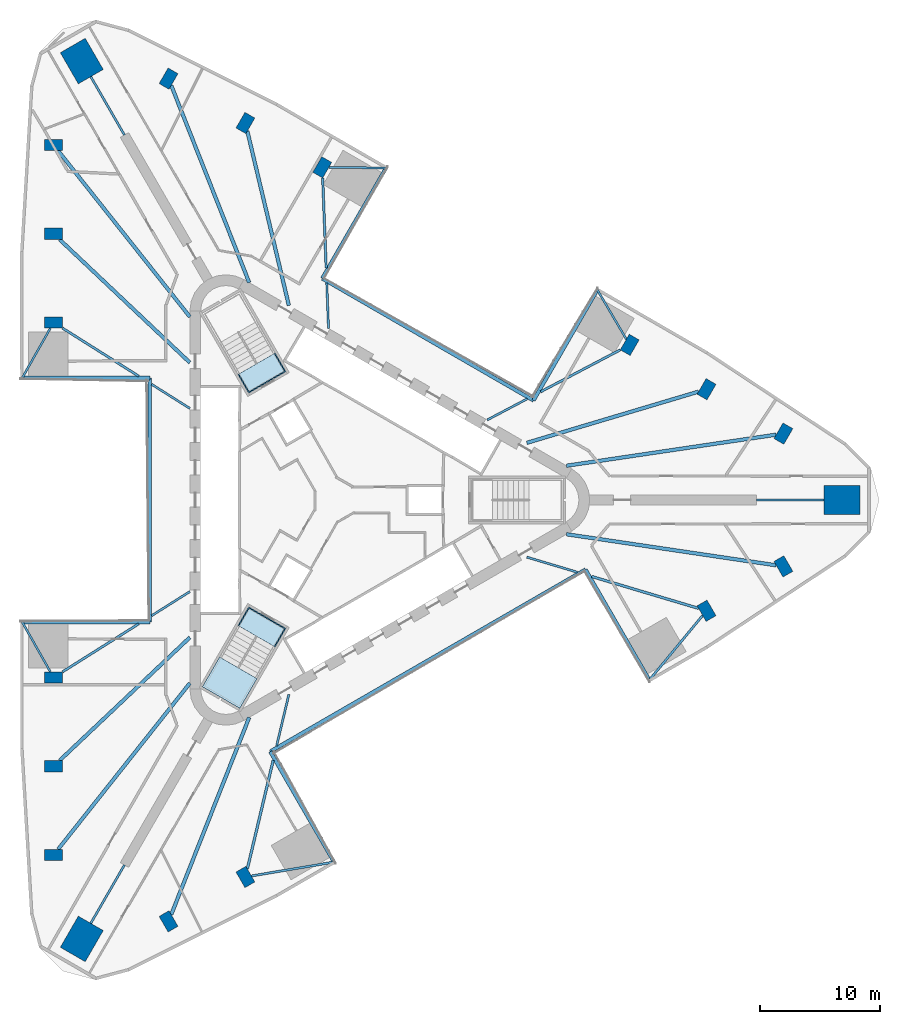
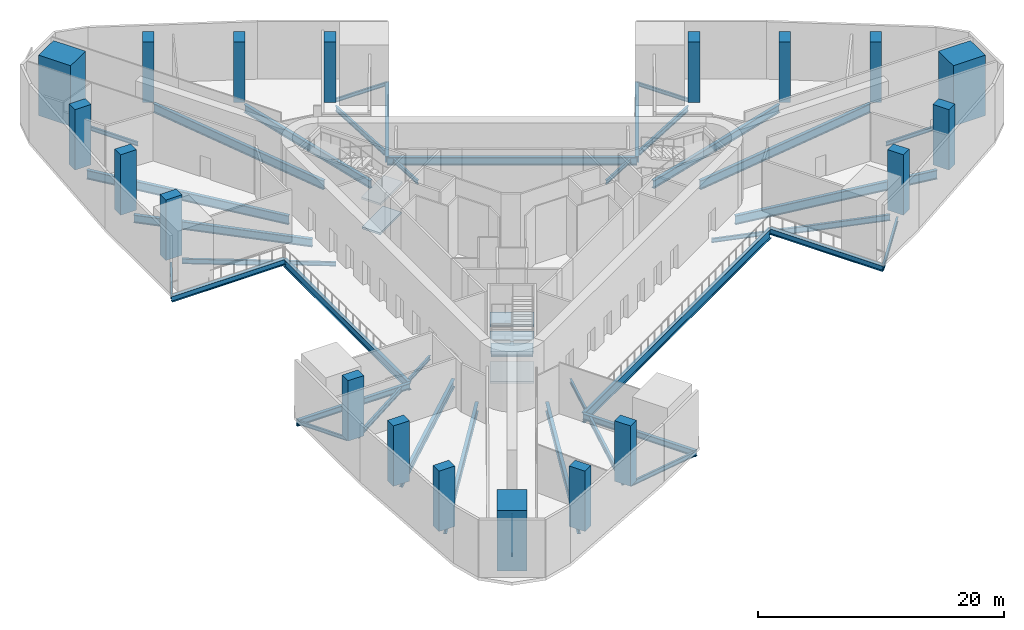
# One storey, part 1 of 11: 40 beams, 19 columns, 6 slabs, 2 elements without a shape of their own.
"""IFC4 building model written with IfcOpenShell, lengths in metres."""

from ifc_helpers import new_model, si_unit, direction, frame, origin, origin_2d, place, context, subcontext, project, spatial, polyline, rectangle, i_section, outline, extrude, material, layer, layer_set, material_profile, profile_set, type_object, element, aggregate, save


model = new_model("IFC4")

# Units and contexts
model_context = context("Model", 3, precision=1e-05, world=origin(), true_north=direction((0.0, 1.0)))
body_context = subcontext(model_context, "Body", "Model", "MODEL_VIEW")
ifc_project = project(units=[si_unit("LENGTHUNIT", "METRE"), si_unit("AREAUNIT", "SQUARE_METRE"), si_unit("VOLUMEUNIT", "CUBIC_METRE"), si_unit("PLANEANGLEUNIT", "RADIAN"), si_unit("MASSUNIT", "GRAM", prefix="KILO")], contexts=[model_context])

# Site, building, storey
site_placement = place(None, origin())
site = spatial("IfcSite", under=ifc_project, at=site_placement, CompositionType="ELEMENT")
building_placement = place(site_placement, origin())
building = spatial("IfcBuilding", under=site, at=building_placement, Name="Tanit Gate Tower", CompositionType="ELEMENT")
storey_placement = place(building_placement, frame((0.0, 0.0, 27.5)))
storey = spatial("IfcBuildingStorey", under=building, at=storey_placement, Name="L04", CompositionType="ELEMENT", Elevation=27.5)

# Columns
ifc_material_1 = material(Name="Concrete C80/95", Category="concrete")
ifc_material_profile_1 = material_profile(ifc_material_1, rectangle(XDim=3.0, YDim=2.39990234375, at=origin_2d()), Name="RC 3000x2400")
ifc_profile_set_1 = profile_set([ifc_material_profile_1], Name="Concrete C80/95")
column_type_1 = type_object("IfcColumnType", Name="MEGA COLUMN 3000x2400 C80/95", PredefinedType="COLUMN", material=ifc_profile_set_1)
for number, where, z_axis, x_axis, name in (
    (1, (42.211181640625, 0.0, 0.0), (0.0, 0.0, 1.0), (1.0, 0.0, 0.0), "MEGA COLUMN"),
    (2, (-21.105712890625, 36.555908203125, 0.0), (0.0, 0.0, 1.0), (-0.5, 0.866025403784, 0.0), "MEGA COLUMN"),
    (3, (-21.105712890625, -36.555908203125, 0.0), (0.0, 0.0, 1.0), (-0.5, -0.866025403784, 0.0), "MEGA COLUMN"),
):
    element("IfcColumn", number, at=place(storey_placement, frame(where, z_axis=z_axis, x_axis=x_axis)), inside=storey, type_object=column_type_1, Name=name, PredefinedType="COLUMN", context=body_context, shape_type="SweptSolid", body=[
        extrude(rectangle(XDim=3.0, YDim=2.39990234375, at=origin_2d()), origin(), (0.0, 0.0, 1.0), 6.0),
    ])
ifc_material_2 = material(Name="Concrete C70/85", Category="concrete")
ifc_material_profile_2 = material_profile(ifc_material_2, rectangle(XDim=1.5, YDim=0.949951171875, at=origin_2d()), Name="RC 1500x950")
ifc_profile_set_2 = profile_set([ifc_material_profile_2], Name="Concrete C70/85")
column_type_2 = type_object("IfcColumnType", Name="PERIMETER COLUMN 1500x950 C70/85", PredefinedType="COLUMN", material=ifc_profile_set_2)
for number, where, z_axis, x_axis, name in (
    (4, (-23.453369140625, 29.56591796875, 0.0), (0.0, 0.0, 1.0), (-1.0, 0.0, 0.0), "PERIMETER COLUMN"),
    (5, (-23.453369140625, 22.17431640625, 0.0), (0.0, 0.0, 1.0), (-1.0, 0.0, 0.0), "PERIMETER COLUMN"),
    (6, (-23.453369140625, 14.782958984375, 0.0), (0.0, 0.0, 1.0), (-1.0, 0.0, 0.0), "PERIMETER COLUMN"),
    (7, (-23.453369140625, -14.782958984375, 0.0), (0.0, 0.0, 1.0), (-1.0, 0.0, 0.0), "PERIMETER COLUMN"),
    (8, (-23.453369140625, -22.17431640625, 0.0), (0.0, 0.0, 1.0), (-1.0, 0.0, 0.0), "PERIMETER COLUMN"),
    (9, (-23.453369140625, -29.56591796875, 0.0), (0.0, 0.0, 1.0), (-1.0, 0.0, 0.0), "PERIMETER COLUMN"),
    (10, (37.331298828125, 5.5283203125, 0.0), (0.0, 0.0, 1.0), (0.5, 0.866025403784, 0.0), "PERIMETER COLUMN"),
    (11, (30.930419921875, 9.22412109375, 0.0), (0.0, 0.0, 1.0), (0.5, 0.866025403784, 0.0), "PERIMETER COLUMN"),
    (12, (24.529052734375, 12.919921875, 0.0), (0.0, 0.0, 1.0), (0.5, 0.866025403784, 0.0), "PERIMETER COLUMN"),
    (13, (-1.07568359375, 27.70263671875, 0.0), (0.0, 0.0, 1.0), (0.5, 0.866025403784, 0.0), "PERIMETER COLUMN"),
    (14, (-7.476806640625, 31.3984375, 0.0), (0.0, 0.0, 1.0), (0.5, 0.866025403784, 0.0), "PERIMETER COLUMN"),
    (15, (-13.8779296875, 35.093994140625, 0.0), (0.0, 0.0, 1.0), (0.5, 0.866025403784, 0.0), "PERIMETER COLUMN"),
    (16, (-13.8779296875, -35.093994140625, 0.0), (0.0, 0.0, 1.0), (0.5, -0.866025403784, 0.0), "PERIMETER COLUMN"),
    (17, (-7.476806640625, -31.3984375, 0.0), (0.0, 0.0, 1.0), (0.5, -0.866025403784, 0.0), "PERIMETER COLUMN"),
    (18, (30.930419921875, -9.22412109375, 0.0), (0.0, 0.0, 1.0), (0.5, -0.866025403784, 0.0), "PERIMETER COLUMN"),
    (19, (37.331298828125, -5.5283203125, 0.0), (0.0, 0.0, 1.0), (0.5, -0.866025403784, 0.0), "PERIMETER COLUMN"),
):
    element("IfcColumn", number, at=place(storey_placement, frame(where, z_axis=z_axis, x_axis=x_axis)), inside=storey, type_object=column_type_2, Name=name, PredefinedType="COLUMN", context=body_context, shape_type="SweptSolid", body=[
        extrude(rectangle(XDim=1.5, YDim=0.949951171875, at=origin_2d()), origin(), (0.0, 0.0, 1.0), 6.0),
    ])

# Beams
ifc_material_3 = material(Name="Steel S355", Category="steel")
ifc_material_profile_3 = material_profile(ifc_material_3, i_section(OverallWidth=0.300048828125, OverallDepth=0.590087890625, WebThickness=0.012939453125, FlangeThickness=0.02490234375, FilletRadius=0.027099609375, at=origin_2d()), Name="HEA 600")
ifc_profile_set_3 = profile_set([ifc_material_profile_3], Name="Steel S355")
beam_type_1 = type_object("IfcBeamType", Name="EDGE BEAM HEA 600 S355", PredefinedType="BEAM", material=ifc_profile_set_3)
beam_1_placement = place(storey_placement, frame((26.16259765625, -14.9951171875, -0.594970703125), z_axis=(-0.500000853759, 0.866024910866, 0.0), x_axis=(-0.866024910866, -0.500000853759, 0.0)))
element("IfcBeam", 20, at=beam_1_placement, inside=storey, type_object=beam_type_1, Name="EDGE BEAM", PredefinedType="BEAM", context=body_context, shape_type="SweptSolid", body=[
    extrude(i_section(OverallWidth=0.300048828125, OverallDepth=0.590087890625, WebThickness=0.012939453125, FlangeThickness=0.02490234375, FilletRadius=0.027099609375, at=origin_2d()), origin(), (0.0, 0.0, 1.0), 10.62744140625),
])
beam_2_placement = place(storey_placement, frame((-5.408935546875, -20.951416015625, -0.594970703125), z_axis=(0.500000139537, -0.866025323223, 0.0), x_axis=(0.866025323223, 0.500000139537, 0.0)))
element("IfcBeam", 21, at=beam_2_placement, inside=storey, type_object=beam_type_1, Name="EDGE BEAM", PredefinedType="BEAM", context=body_context, shape_type="SweptSolid", body=[
    extrude(i_section(OverallWidth=0.300048828125, OverallDepth=0.590087890625, WebThickness=0.012939453125, FlangeThickness=0.02490234375, FilletRadius=0.027099609375, at=origin_2d()), origin(), (0.0, 0.0, 1.0), 10.62939453125),
])
beam_3_placement = place(storey_placement, frame((-26.067626953125, -10.159912109375, -0.594970703125), z_axis=(1.0, 0.0, 0.0), x_axis=(0.0, 1.0, 0.0)))
element("IfcBeam", 22, at=beam_3_placement, inside=storey, type_object=beam_type_1, Name="EDGE BEAM", PredefinedType="BEAM", context=body_context, shape_type="SweptSolid", body=[
    extrude(i_section(OverallWidth=0.300048828125, OverallDepth=0.590087890625, WebThickness=0.012939453125, FlangeThickness=0.02490234375, FilletRadius=0.027099609375, at=origin_2d()), origin(), (0.0, 0.0, 1.0), 10.627685546875),
])
beam_4_placement = place(storey_placement, frame((-15.43994140625, 10.159912109375, -0.594970703125), z_axis=(-1.0, 0.0, 0.0), x_axis=(0.0, -1.0, 0.0)))
element("IfcBeam", 23, at=beam_4_placement, inside=storey, type_object=beam_type_1, Name="EDGE BEAM", PredefinedType="BEAM", context=body_context, shape_type="SweptSolid", body=[
    extrude(i_section(OverallWidth=0.300048828125, OverallDepth=0.590087890625, WebThickness=0.012939453125, FlangeThickness=0.02490234375, FilletRadius=0.027099609375, at=origin_2d()), origin(), (0.0, 0.0, 1.0), 10.629150390625),
])
beam_5_placement = place(storey_placement, frame((4.235107421875, 27.6552734375, -0.594970703125), z_axis=(-0.500008135536, -0.866020706679, 0.0), x_axis=(0.866020706679, -0.500008135536, 0.0)))
element("IfcBeam", 24, at=beam_5_placement, inside=storey, type_object=beam_type_1, Name="EDGE BEAM", PredefinedType="BEAM", context=body_context, shape_type="SweptSolid", body=[
    extrude(i_section(OverallWidth=0.300048828125, OverallDepth=0.590087890625, WebThickness=0.012939453125, FlangeThickness=0.02490234375, FilletRadius=0.027099609375, at=origin_2d()), origin(), (0.0, 0.0, 1.0), 10.627685546875),
])
beam_6_placement = place(storey_placement, frame((16.518798828125, 8.29150390625, -0.594970703125), z_axis=(0.500010085333, 0.866019580936, 0.0), x_axis=(-0.866019580936, 0.500010085333, 0.0)))
element("IfcBeam", 25, at=beam_6_placement, inside=storey, type_object=beam_type_1, Name="EDGE BEAM", PredefinedType="BEAM", context=body_context, shape_type="SweptSolid", body=[
    extrude(i_section(OverallWidth=0.300048828125, OverallDepth=0.590087890625, WebThickness=0.012939453125, FlangeThickness=0.02490234375, FilletRadius=0.027099609375, at=origin_2d()), origin(), (0.0, 0.0, 1.0), 10.629150390625),
])
ifc_material_4 = material(Name="Steel S355", Category="steel")
ifc_material_profile_4 = material_profile(ifc_material_4, i_section(OverallWidth=0.300048828125, OverallDepth=0.7900390625, WebThickness=0.014892578125, FlangeThickness=0.028076171875, FilletRadius=0.030029296875, at=origin_2d()), Name="HEA 800")
ifc_profile_set_4 = profile_set([ifc_material_profile_4], Name="Steel S355")
beam_type_2 = type_object("IfcBeamType", Name="EDGE BEAM HEA 800 S355", PredefinedType="BEAM", material=ifc_profile_set_4)
beam_7_placement = place(storey_placement, frame((-15.43994140625, -10.159912109375, -0.695068359375), z_axis=(0.0, 1.0, 0.0), x_axis=(-1.0, 0.0, 0.0)))
element("IfcBeam", 26, at=beam_7_placement, inside=storey, type_object=beam_type_2, Name="EDGE BEAM", PredefinedType="BEAM", context=body_context, shape_type="SweptSolid", body=[
    extrude(i_section(OverallWidth=0.300048828125, OverallDepth=0.7900390625, WebThickness=0.014892578125, FlangeThickness=0.028076171875, FilletRadius=0.030029296875, at=origin_2d()), origin(), (0.0, 0.0, 1.0), 20.31982421875),
])
beam_8_placement = place(storey_placement, frame((-1.078857421875, 18.451416015625, -0.695068359375), z_axis=(0.866027523318, -0.499996328842, 0.0), x_axis=(0.499996328842, 0.866027523318, 0.0)))
element("IfcBeam", 27, at=beam_8_placement, inside=storey, type_object=beam_type_2, Name="EDGE BEAM", PredefinedType="BEAM", context=body_context, shape_type="SweptSolid", body=[
    extrude(i_section(OverallWidth=0.300048828125, OverallDepth=0.7900390625, WebThickness=0.014892578125, FlangeThickness=0.028076171875, FilletRadius=0.030029296875, at=origin_2d()), origin(), (0.0, 0.0, 1.0), 20.320068359375),
])
ifc_material_5 = material(Name="Steel S355", Category="steel")
ifc_material_profile_5 = material_profile(ifc_material_5, i_section(OverallWidth=0.300048828125, OverallDepth=1.0, WebThickness=0.01904296875, FlangeThickness=0.035888671875, FilletRadius=0.030029296875, at=origin_2d()), Name="HEB 1000")
ifc_profile_set_5 = profile_set([ifc_material_profile_5], Name="Steel S355")
beam_type_3 = type_object("IfcBeamType", Name="EDGE BEAM HEB 1000 S355", PredefinedType="BEAM", material=ifc_profile_set_5)
beam_9_placement = place(storey_placement, frame((20.848876953125, -5.79150390625, -0.800048828125), z_axis=(-0.86602601797, -0.499998936197, 0.0), x_axis=(0.499998936197, -0.86602601797, 0.0)))
element("IfcBeam", 28, at=beam_9_placement, inside=storey, type_object=beam_type_3, Name="EDGE BEAM", PredefinedType="BEAM", context=body_context, shape_type="SweptSolid", body=[
    extrude(i_section(OverallWidth=0.300048828125, OverallDepth=1.0, WebThickness=0.01904296875, FlangeThickness=0.035888671875, FilletRadius=0.030029296875, at=origin_2d()), origin(), (0.0, 0.0, 1.0), 30.31982421875),
])
ifc_material_6 = material(Name="Steel S355", Category="steel")
ifc_material_profile_6 = material_profile(ifc_material_6, i_section(OverallWidth=0.300048828125, OverallDepth=0.7900390625, WebThickness=0.014892578125, FlangeThickness=0.028076171875, FilletRadius=0.030029296875, at=origin_2d()), Name="HEA 800")
ifc_profile_set_6 = profile_set([ifc_material_profile_6], Name="Steel S355")
beam_type_4 = type_object("IfcBeamType", Name="RADIAL GIRDER HEA 800 S355", PredefinedType="BEAM", material=ifc_profile_set_6)
for number, where, z_axis, x_axis, name in (
    (29, (-22.950927734375, -21.69921875, -0.695068359375), (0.726639827007, 0.687018603683, 0.0), (-0.687018603683, 0.726639827007, 0.0), "RADIAL GIRDER"),
    (30, (30.267578125, 9.026611328125, -0.695068359375), (-0.958292632116, -0.285788787801, 0.0), (0.285788787801, -0.958292632116, 0.0), "RADIAL GIRDER"),
):
    element("IfcBeam", number, at=place(storey_placement, frame(where, z_axis=z_axis, x_axis=x_axis)), inside=storey, type_object=beam_type_4, Name=name, PredefinedType="BEAM", context=body_context, shape_type="SweptSolid", body=[
        extrude(i_section(OverallWidth=0.300048828125, OverallDepth=0.7900390625, WebThickness=0.014892578125, FlangeThickness=0.028076171875, FilletRadius=0.030029296875, at=origin_2d()), origin(), (0.0, 0.0, 1.0), 14.93017578125),
    ])
beam_10_placement = place(storey_placement, frame((-7.316650390625, 30.725830078125, -0.695068359375), z_axis=(0.231658845557, -0.972797090495, 0.0), x_axis=(0.972797090495, 0.231658845557, 0.0)))
element("IfcBeam", 31, at=beam_10_placement, inside=storey, type_object=beam_type_4, Name="RADIAL GIRDER", PredefinedType="BEAM", context=body_context, shape_type="SweptSolid", body=[
    extrude(i_section(OverallWidth=0.300048828125, OverallDepth=0.7900390625, WebThickness=0.014892578125, FlangeThickness=0.028076171875, FilletRadius=0.030029296875, at=origin_2d()), origin(), (0.0, 0.0, 1.0), 14.930419921875),
])
beam_11_placement = place(storey_placement, frame((-22.950927734375, 21.69921875, -0.695068359375), z_axis=(0.726639827007, -0.687018603683, 0.0), x_axis=(0.687018603683, 0.726639827007, 0.0)))
element("IfcBeam", 32, at=beam_11_placement, inside=storey, type_object=beam_type_4, Name="RADIAL GIRDER", PredefinedType="BEAM", context=body_context, shape_type="SweptSolid", body=[
    extrude(i_section(OverallWidth=0.300048828125, OverallDepth=0.7900390625, WebThickness=0.014892578125, FlangeThickness=0.028076171875, FilletRadius=0.030029296875, at=origin_2d()), origin(), (0.0, 0.0, 1.0), 14.93017578125),
])
ifc_material_7 = material(Name="Steel S355", Category="steel")
ifc_material_profile_7 = material_profile(ifc_material_7, i_section(OverallWidth=0.300048828125, OverallDepth=0.889892578125, WebThickness=0.01611328125, FlangeThickness=0.030029296875, FilletRadius=0.030029296875, at=origin_2d()), Name="HEA 900")
ifc_profile_set_7 = profile_set([ifc_material_profile_7], Name="Steel S355")
beam_type_5 = type_object("IfcBeamType", Name="RADIAL GIRDER HEA 900 S355", PredefinedType="BEAM", material=ifc_profile_set_7)
for number, where, z_axis, x_axis, name in (
    (33, (-23.07666015625, -29.0908203125, -0.7451171875), (0.621472845829, 0.783435703742, 0.0), (-0.783435703742, 0.621472845829, 0.0), "RADIAL GIRDER"),
    (34, (-13.655029296875, -34.5302734375, -0.7451171875), (0.36773841244, 0.929929276889, 0.0), (-0.929929276889, 0.36773841244, 0.0), "RADIAL GIRDER"),
    (35, (36.731689453125, -5.439697265625, -0.7451171875), (-0.98921177448, 0.146492543254, 0.0), (-0.146492543254, -0.98921177448, 0.0), "RADIAL GIRDER"),
    (36, (36.731689453125, 5.439697265625, -0.7451171875), (-0.98921177448, -0.146492543254, 0.0), (0.146492543254, -0.98921177448, 0.0), "RADIAL GIRDER"),
    (37, (-13.655029296875, 34.5302734375, -0.7451171875), (0.36773841244, -0.929929276889, 0.0), (0.929929276889, 0.36773841244, 0.0), "RADIAL GIRDER"),
    (38, (-23.07666015625, 29.0908203125, -0.7451171875), (0.621472845829, -0.783435703742, 0.0), (0.783435703742, 0.621472845829, 0.0), "RADIAL GIRDER"),
):
    element("IfcBeam", number, at=place(storey_placement, frame(where, z_axis=z_axis, x_axis=x_axis)), inside=storey, type_object=beam_type_5, Name=name, PredefinedType="BEAM", context=body_context, shape_type="SweptSolid", body=[
        extrude(i_section(OverallWidth=0.300048828125, OverallDepth=0.889892578125, WebThickness=0.01611328125, FlangeThickness=0.030029296875, FilletRadius=0.030029296875, at=origin_2d()), origin(), (0.0, 0.0, 1.0), 17.658935546875),
    ])
ifc_material_8 = material(Name="Steel S355", Category="steel")
ifc_material_profile_8 = material_profile(ifc_material_8, i_section(OverallWidth=0.179931640625, OverallDepth=0.39990234375, WebThickness=0.008544921875, FlangeThickness=0.013427734375, FilletRadius=0.02099609375, at=origin_2d()), Name="IPE 400")
ifc_profile_set_8 = profile_set([ifc_material_profile_8], Name="Steel S355")
beam_type_6 = type_object("IfcBeamType", Name="RADIAL GIRDER IPE 400 S355", PredefinedType="BEAM", material=ifc_profile_set_8)
beam_12_placement = place(storey_placement, frame((-15.291748046875, -9.638427734375, -0.5), z_axis=(0.845973226432, 0.53322537464, 0.0), x_axis=(-0.53322537464, 0.845973226432, 0.0)))
element("IfcBeam", 39, at=beam_12_placement, inside=storey, type_object=beam_type_6, Name="RADIAL GIRDER", PredefinedType="BEAM", context=body_context, shape_type="SweptSolid", body=[
    extrude(i_section(OverallWidth=0.179931640625, OverallDepth=0.39990234375, WebThickness=0.008544921875, FlangeThickness=0.013427734375, FilletRadius=0.02099609375, at=origin_2d()), origin(), (0.0, 0.0, 1.0), 3.7705078125),
])
beam_13_placement = place(storey_placement, frame((-20.355712890625, -35.257080078125, -0.5), z_axis=(0.500016430238, 0.866015917575, 0.0), x_axis=(-0.866015917575, 0.500016430238, 0.0)))
element("IfcBeam", 40, at=beam_13_placement, inside=storey, type_object=beam_type_6, Name="RADIAL GIRDER", PredefinedType="BEAM", context=body_context, shape_type="SweptSolid", body=[
    extrude(i_section(OverallWidth=0.179931640625, OverallDepth=0.39990234375, WebThickness=0.008544921875, FlangeThickness=0.013427734375, FilletRadius=0.02099609375, at=origin_2d()), origin(), (0.0, 0.0, 1.0), 5.607177734375),
])
beam_14_placement = place(storey_placement, frame((-4.874755859375, -20.471435546875, -0.5), z_axis=(0.231670659503, 0.972794277083, 0.0), x_axis=(-0.972794277083, 0.231670659503, 0.0)))
element("IfcBeam", 41, at=beam_14_placement, inside=storey, type_object=beam_type_6, Name="RADIAL GIRDER", PredefinedType="BEAM", context=body_context, shape_type="SweptSolid", body=[
    extrude(i_section(OverallWidth=0.179931640625, OverallDepth=0.39990234375, WebThickness=0.008544921875, FlangeThickness=0.013427734375, FilletRadius=0.02099609375, at=origin_2d()), origin(), (0.0, 0.0, 1.0), 4.38916015625),
])
beam_15_placement = place(storey_placement, frame((20.164306640625, -6.013427734375, -0.5), z_axis=(-0.958299792867, 0.285764775631, 0.0), x_axis=(-0.285764775631, -0.958299792867, 0.0)))
element("IfcBeam", 42, at=beam_15_placement, inside=storey, type_object=beam_type_6, Name="RADIAL GIRDER", PredefinedType="BEAM", context=body_context, shape_type="SweptSolid", body=[
    extrude(i_section(OverallWidth=0.179931640625, OverallDepth=0.39990234375, WebThickness=0.008544921875, FlangeThickness=0.013427734375, FilletRadius=0.02099609375, at=origin_2d()), origin(), (0.0, 0.0, 1.0), 4.386962890625),
])
beam_16_placement = place(storey_placement, frame((40.711181640625, 0.0, -0.5), z_axis=(-1.0, 0.0, 0.0), x_axis=(0.0, -1.0, 0.0)))
element("IfcBeam", 43, at=beam_16_placement, inside=storey, type_object=beam_type_6, Name="RADIAL GIRDER", PredefinedType="BEAM", context=body_context, shape_type="SweptSolid", body=[
    extrude(i_section(OverallWidth=0.179931640625, OverallDepth=0.39990234375, WebThickness=0.008544921875, FlangeThickness=0.013427734375, FilletRadius=0.02099609375, at=origin_2d()), origin(), (0.0, 0.0, 1.0), 5.607177734375),
])
for number, where, z_axis, x_axis, name in (
    (44, (15.9912109375, 8.4228515625, -0.5), (-0.884755154197, -0.46605613087, 0.0), (0.46605613087, -0.884755154197, 0.0), "RADIAL GIRDER"),
    (45, (-0.701416015625, 18.060302734375, -0.5), (0.038806328041, -0.99924675076, 0.0), (0.99924675076, 0.038806328041, 0.0), "RADIAL GIRDER"),
):
    element("IfcBeam", number, at=place(storey_placement, frame(where, z_axis=z_axis, x_axis=x_axis)), inside=storey, type_object=beam_type_6, Name=name, PredefinedType="BEAM", context=body_context, shape_type="SweptSolid", body=[
        extrude(i_section(OverallWidth=0.179931640625, OverallDepth=0.39990234375, WebThickness=0.008544921875, FlangeThickness=0.013427734375, FilletRadius=0.02099609375, at=origin_2d()), origin(), (0.0, 0.0, 1.0), 3.7685546875),
    ])
beam_17_placement = place(storey_placement, frame((-20.355712890625, 35.257080078125, -0.5), z_axis=(0.500016430238, -0.866015917575, 0.0), x_axis=(0.866015917575, 0.500016430238, 0.0)))
element("IfcBeam", 46, at=beam_17_placement, inside=storey, type_object=beam_type_6, Name="RADIAL GIRDER", PredefinedType="BEAM", context=body_context, shape_type="SweptSolid", body=[
    extrude(i_section(OverallWidth=0.179931640625, OverallDepth=0.39990234375, WebThickness=0.008544921875, FlangeThickness=0.013427734375, FilletRadius=0.02099609375, at=origin_2d()), origin(), (0.0, 0.0, 1.0), 5.607177734375),
])
beam_18_placement = place(storey_placement, frame((-15.291748046875, 9.638427734375, -0.5), z_axis=(0.845973226432, -0.53322537464, 0.0), x_axis=(0.53322537464, 0.845973226432, 0.0)))
element("IfcBeam", 47, at=beam_18_placement, inside=storey, type_object=beam_type_6, Name="RADIAL GIRDER", PredefinedType="BEAM", context=body_context, shape_type="SweptSolid", body=[
    extrude(i_section(OverallWidth=0.179931640625, OverallDepth=0.39990234375, WebThickness=0.008544921875, FlangeThickness=0.013427734375, FilletRadius=0.02099609375, at=origin_2d()), origin(), (0.0, 0.0, 1.0), 3.7705078125),
])
ifc_material_9 = material(Name="Steel S355", Category="steel")
ifc_material_profile_9 = material_profile(ifc_material_9, i_section(OverallWidth=0.199951171875, OverallDepth=0.5, WebThickness=0.01025390625, FlangeThickness=0.01611328125, FilletRadius=0.02099609375, at=origin_2d()), Name="IPE 500")
ifc_profile_set_9 = profile_set([ifc_material_profile_9], Name="Steel S355")
beam_type_7 = type_object("IfcBeamType", Name="RADIAL GIRDER IPE 500 S355", PredefinedType="BEAM", material=ifc_profile_set_9)
beam_19_placement = place(storey_placement, frame((-22.705078125, -14.311279296875, -0.550048828125), z_axis=(0.845977927567, 0.533217916118, 0.0), x_axis=(-0.533217916118, 0.845977927567, 0.0)))
element("IfcBeam", 48, at=beam_19_placement, inside=storey, type_object=beam_type_7, Name="RADIAL GIRDER", PredefinedType="BEAM", context=body_context, shape_type="SweptSolid", body=[
    extrude(i_section(OverallWidth=0.199951171875, OverallDepth=0.5, WebThickness=0.01025390625, FlangeThickness=0.01611328125, FilletRadius=0.02099609375, at=origin_2d()), origin(), (0.0, 0.0, 1.0), 7.50390625),
])
for number, where, z_axis, x_axis, name in (
    (49, (23.74462890625, 12.506591796875, -0.550048828125), (-0.884769930034, -0.466028079527, 0.0), (0.466028079527, -0.884769930034, 0.0), "RADIAL GIRDER"),
    (50, (-1.041259765625, 26.81689453125, -0.550048828125), (0.038791818871, -0.999247314126, 0.0), (0.999247314126, 0.038791818871, 0.0), "RADIAL GIRDER"),
):
    element("IfcBeam", number, at=place(storey_placement, frame(where, z_axis=z_axis, x_axis=x_axis)), inside=storey, type_object=beam_type_7, Name=name, PredefinedType="BEAM", context=body_context, shape_type="SweptSolid", body=[
        extrude(i_section(OverallWidth=0.199951171875, OverallDepth=0.5, WebThickness=0.01025390625, FlangeThickness=0.01611328125, FilletRadius=0.02099609375, at=origin_2d()), origin(), (0.0, 0.0, 1.0), 7.501953125),
    ])
beam_20_placement = place(storey_placement, frame((-22.705078125, 14.311279296875, -0.550048828125), z_axis=(0.845977927567, -0.533217916118, 0.0), x_axis=(0.533217916118, 0.845977927567, 0.0)))
element("IfcBeam", 51, at=beam_20_placement, inside=storey, type_object=beam_type_7, Name="RADIAL GIRDER", PredefinedType="BEAM", context=body_context, shape_type="SweptSolid", body=[
    extrude(i_section(OverallWidth=0.199951171875, OverallDepth=0.5, WebThickness=0.01025390625, FlangeThickness=0.01611328125, FilletRadius=0.02099609375, at=origin_2d()), origin(), (0.0, 0.0, 1.0), 7.50390625),
])
ifc_material_10 = material(Name="Steel S355", Category="steel")
ifc_material_profile_10 = material_profile(ifc_material_10, i_section(OverallWidth=0.219970703125, OverallDepth=0.60009765625, WebThickness=0.011962890625, FlangeThickness=0.01904296875, FilletRadius=0.02392578125, at=origin_2d()), Name="IPE 600")
ifc_profile_set_10 = profile_set([ifc_material_profile_10], Name="Steel S355")
beam_type_8 = type_object("IfcBeamType", Name="RADIAL GIRDER IPE 600 S355", PredefinedType="BEAM", material=ifc_profile_set_10)
for number, where, z_axis, x_axis, name in (
    (52, (-7.316650390625, -30.725830078125, -0.60009765625), (0.231643004364, 0.97280086273, 0.0), (-0.97280086273, 0.231643004364, 0.0), "RADIAL GIRDER"),
    (53, (30.267578125, -9.026611328125, -0.60009765625), (-0.958288896011, 0.285801315222, 0.0), (-0.285801315222, -0.958288896011, 0.0), "RADIAL GIRDER"),
):
    element("IfcBeam", number, at=place(storey_placement, frame(where, z_axis=z_axis, x_axis=x_axis)), inside=storey, type_object=beam_type_8, Name=name, PredefinedType="BEAM", context=body_context, shape_type="SweptSolid", body=[
        extrude(i_section(OverallWidth=0.219970703125, OverallDepth=0.60009765625, WebThickness=0.011962890625, FlangeThickness=0.01904296875, FilletRadius=0.02392578125, at=origin_2d()), origin(), (0.0, 0.0, 1.0), 9.300048828125),
    ])
ifc_material_11 = material(Name="Steel S355", Category="steel")
ifc_material_profile_11 = material_profile(ifc_material_11, i_section(OverallWidth=0.169921875, OverallDepth=0.360107421875, WebThickness=0.008056640625, FlangeThickness=0.0126953125, FilletRadius=0.01806640625, at=origin_2d()), Name="IPE 360")
ifc_profile_set_11 = profile_set([ifc_material_profile_11], Name="Steel S355")
beam_type_9 = type_object("IfcBeamType", Name="RING BEAM IPE 360 S355", PredefinedType="BEAM", material=ifc_profile_set_11)
beam_21_placement = place(storey_placement, frame((-26.067626953125, -10.159912109375, -0.47998046875), z_axis=(0.49224969988, -0.870454038401, 0.0), x_axis=(0.870454038401, 0.49224969988, 0.0)))
element("IfcBeam", 54, at=beam_21_placement, inside=storey, type_object=beam_type_9, Name="RING BEAM", PredefinedType="BEAM", context=body_context, shape_type="SweptSolid", body=[
    extrude(i_section(OverallWidth=0.169921875, OverallDepth=0.360107421875, WebThickness=0.008056640625, FlangeThickness=0.0126953125, FilletRadius=0.01806640625, at=origin_2d()), origin(), (0.0, 0.0, 1.0), 4.765380859375),
])
beam_22_placement = place(storey_placement, frame((-26.069091796875, 10.159912109375, -0.47998046875), z_axis=(0.492443758084, 0.870344268163, 0.0), x_axis=(-0.870344268163, 0.492443758084, 0.0)))
element("IfcBeam", 55, at=beam_22_placement, inside=storey, type_object=beam_type_9, Name="RING BEAM", PredefinedType="BEAM", context=body_context, shape_type="SweptSolid", body=[
    extrude(i_section(OverallWidth=0.169921875, OverallDepth=0.360107421875, WebThickness=0.008056640625, FlangeThickness=0.0126953125, FilletRadius=0.01806640625, at=origin_2d()), origin(), (0.0, 0.0, 1.0), 4.765869140625),
])
beam_23_placement = place(storey_placement, frame((4.235107421875, 27.6552734375, -0.47998046875), z_axis=(-0.999960265112, 0.008914493602, 0.0), x_axis=(-0.008914493602, -0.999960265112, 0.0)))
element("IfcBeam", 56, at=beam_23_placement, inside=storey, type_object=beam_type_9, Name="RING BEAM", PredefinedType="BEAM", context=body_context, shape_type="SweptSolid", body=[
    extrude(i_section(OverallWidth=0.169921875, OverallDepth=0.360107421875, WebThickness=0.008056640625, FlangeThickness=0.0126953125, FilletRadius=0.01806640625, at=origin_2d()), origin(), (0.0, 0.0, 1.0), 4.765380859375),
])
beam_24_placement = place(storey_placement, frame((21.83349609375, 17.49658203125, -0.47998046875), z_axis=(0.507510326773, -0.861645674404, 0.0), x_axis=(0.861645674404, 0.507510326773, 0.0)))
element("IfcBeam", 57, at=beam_24_placement, inside=storey, type_object=beam_type_9, Name="RING BEAM", PredefinedType="BEAM", context=body_context, shape_type="SweptSolid", body=[
    extrude(i_section(OverallWidth=0.169921875, OverallDepth=0.360107421875, WebThickness=0.008056640625, FlangeThickness=0.0126953125, FilletRadius=0.01806640625, at=origin_2d()), origin(), (0.0, 0.0, 1.0), 4.765869140625),
])
ifc_material_12 = material(Name="Steel S355", Category="steel")
ifc_material_profile_12 = material_profile(ifc_material_12, i_section(OverallWidth=0.18994140625, OverallDepth=0.449951171875, WebThickness=0.009521484375, FlangeThickness=0.0146484375, FilletRadius=0.02099609375, at=origin_2d()), Name="IPE 450")
ifc_profile_set_12 = profile_set([ifc_material_profile_12], Name="Steel S355")
beam_type_10 = type_object("IfcBeamType", Name="RING BEAM IPE 450 S355", PredefinedType="BEAM", material=ifc_profile_set_12)
beam_25_placement = place(storey_placement, frame((26.16259765625, -14.9951171875, -0.52490234375), z_axis=(0.636913089012, 0.770935611478, 0.0), x_axis=(-0.770935611478, 0.636913089012, 0.0)))
element("IfcBeam", 58, at=beam_25_placement, inside=storey, type_object=beam_type_10, Name="RING BEAM", PredefinedType="BEAM", context=body_context, shape_type="SweptSolid", body=[
    extrude(i_section(OverallWidth=0.18994140625, OverallDepth=0.449951171875, WebThickness=0.009521484375, FlangeThickness=0.0146484375, FilletRadius=0.02099609375, at=origin_2d()), origin(), (0.0, 0.0, 1.0), 6.978759765625),
])
beam_26_placement = place(storey_placement, frame((-0.09423828125, -30.15673828125, -0.52490234375), z_axis=(-0.986151777339, -0.165845325684, 0.0), x_axis=(0.165845325684, -0.986151777339, 0.0)))
element("IfcBeam", 59, at=beam_26_placement, inside=storey, type_object=beam_type_10, Name="RING BEAM", PredefinedType="BEAM", context=body_context, shape_type="SweptSolid", body=[
    extrude(i_section(OverallWidth=0.18994140625, OverallDepth=0.449951171875, WebThickness=0.009521484375, FlangeThickness=0.0146484375, FilletRadius=0.02099609375, at=origin_2d()), origin(), (0.0, 0.0, 1.0), 6.979248046875),
])

# Stair, slab
ifc_material_13 = material(Name="Concrete C40/50", Category="concrete")
stair_type = type_object("IfcStairType", Name="INT-STAIR-EXIT", PredefinedType="HALF_TURN_STAIR", material=ifc_material_13)
stair_1_placement = place(storey_placement, origin())
stair_1 = element("IfcStair", 60, at=stair_1_placement, inside=storey, type_object=stair_type, Name="L04 STAIR S2", PredefinedType="HALF_TURN_STAIR")
ifc_material_14 = material(Name="Concrete C40/50", Category="concrete")
ifc_layer = layer(ifc_material_14, 0.199951171875)
ifc_layer_set = layer_set([ifc_layer], Name="INT-STAIR-LANDING")
slab_type = type_object("IfcSlabType", Name="INT-STAIR-LANDING", PredefinedType="LANDING", material=ifc_layer_set)
slab_1_placement = place(storey_placement, frame((0.0, 0.0, 2.800048828125)))
slab_1 = element("IfcSlab", 61, at=slab_1_placement, type_object=slab_type, Name="S2 landing 2", PredefinedType="LANDING", context=body_context, shape_type="SweptSolid", body=[
    extrude(outline(polyline([(-4.091064453125, 10.68603515625), (-4.9931640625, 12.248291015625), (-8.11083984375, 10.448486328125), (-7.208740234375, 8.885986328125), (-4.091064453125, 10.68603515625)])), origin(), (0.0, 0.0, 1.0), 0.199951171875),
])
aggregate(stair_1, [slab_1])

# Slab
slab_2_placement = place(storey_placement, frame((0.0, 0.0, -0.199951171875)))
element("IfcSlab", 62, at=slab_2_placement, inside=storey, type_object=slab_type, Name="S2 floor landing", PredefinedType="LANDING", context=body_context, shape_type="SweptSolid", body=[
    extrude(outline(polyline([(-4.200439453125, 10.71533203125), (-5.0625, 12.20849609375), (-8.04150390625, 10.48828125), (-7.179443359375, 8.995361328125), (-4.200439453125, 10.71533203125)])), origin(), (0.0, 0.0, 1.0), 0.199951171875),
])

# Stair, slabs
stair_2_placement = place(storey_placement, origin())
stair_2 = element("IfcStair", 63, at=stair_2_placement, inside=storey, type_object=stair_type, Name="L04 STAIR S3", PredefinedType="HALF_TURN_STAIR")
slab_3_placement = place(storey_placement, frame((0.0, 0.0, 1.300048828125)))
slab_3 = element("IfcSlab", 64, at=slab_3_placement, type_object=slab_type, Name="S3 landing 1", PredefinedType="LANDING", context=body_context, shape_type="SweptSolid", body=[
    extrude(outline(polyline([(-9.626953125, -13.07421875), (-11.058837890625, -15.554443359375), (-7.941162109375, -17.3544921875), (-6.509033203125, -14.874267578125), (-9.626953125, -13.07421875)])), origin(), (0.0, 0.0, 1.0), 0.199951171875),
])
slab_4_placement = place(storey_placement, frame((0.0, 0.0, 2.800048828125)))
slab_4 = element("IfcSlab", 65, at=slab_4_placement, type_object=slab_type, Name="S3 landing 2", PredefinedType="LANDING", context=body_context, shape_type="SweptSolid", body=[
    extrude(outline(polyline([(-7.208740234375, -8.885986328125), (-8.111328125, -10.44921875), (-4.99365234375, -12.249267578125), (-4.091064453125, -10.68603515625), (-7.208740234375, -8.885986328125)])), origin(), (0.0, 0.0, 1.0), 0.199951171875),
])
slab_5_placement = place(storey_placement, frame((0.0, 0.0, 4.300048828125)))
slab_5 = element("IfcSlab", 66, at=slab_5_placement, type_object=slab_type, Name="S3 landing 3", PredefinedType="LANDING", context=body_context, shape_type="SweptSolid", body=[
    extrude(outline(polyline([(-9.626953125, -13.07421875), (-11.058837890625, -15.554443359375), (-7.941162109375, -17.3544921875), (-6.509033203125, -14.874267578125), (-9.626953125, -13.07421875)])), origin(), (0.0, 0.0, 1.0), 0.199951171875),
])
aggregate(stair_2, [slab_3, slab_4, slab_5])

# Slab
slab_6_placement = place(storey_placement, frame((0.0, 0.0, -0.199951171875)))
element("IfcSlab", 67, at=slab_6_placement, inside=storey, type_object=slab_type, Name="S3 floor landing", PredefinedType="LANDING", context=body_context, shape_type="SweptSolid", body=[
    extrude(outline(polyline([(-7.179443359375, -8.995361328125), (-8.0419921875, -10.4892578125), (-5.06298828125, -12.209228515625), (-4.200439453125, -10.71533203125), (-7.179443359375, -8.995361328125)])), origin(), (0.0, 0.0, 1.0), 0.199951171875),
])

save(model, "model.ifc")
